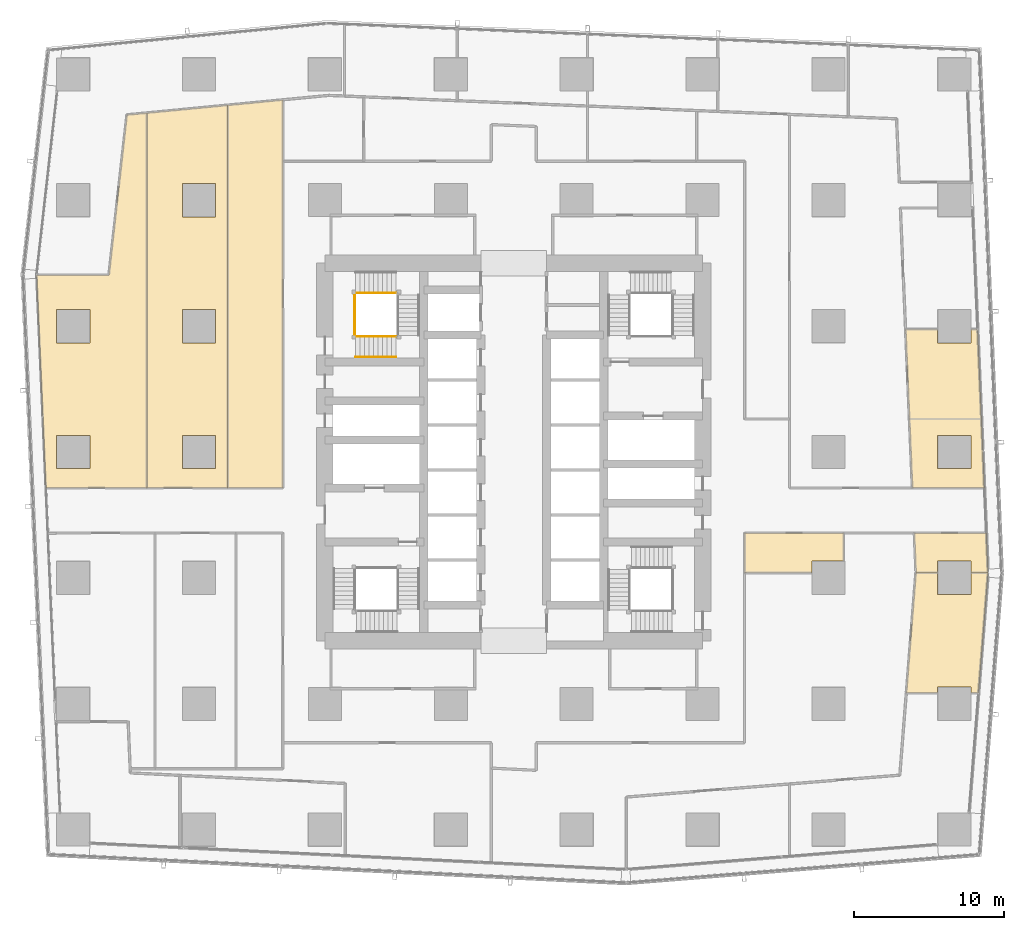
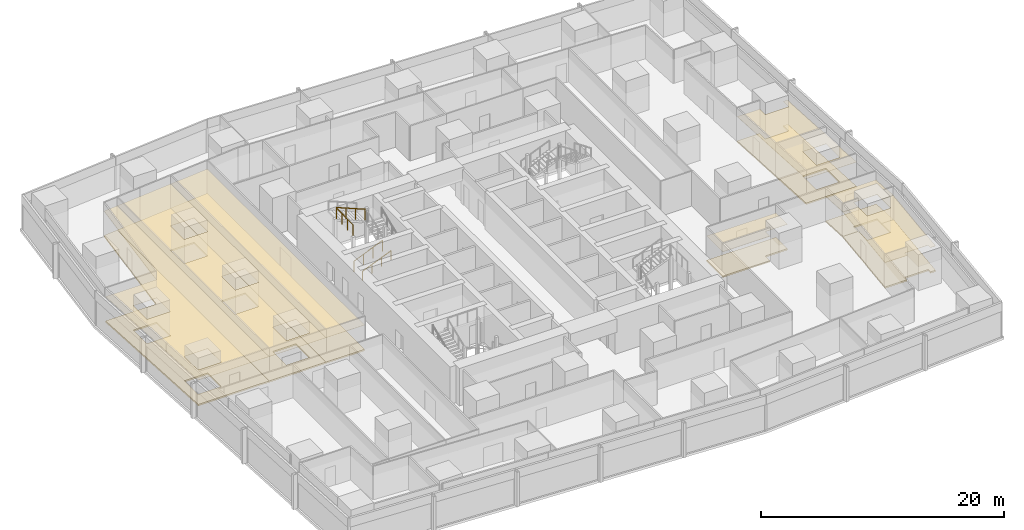
# One storey, part 40 of 44: 14 coverings, 4 railings.
"""IFC4 building model written with IfcOpenShell, lengths in metres."""

from ifc_helpers import new_model, si_unit, direction, frame, origin, origin_2d, place, context, subcontext, project, spatial, polyline, circle, outline, extrude, material, layer, layer_set, type_object, element, save


model = new_model("IFC4")

# Units and contexts
model_context = context("Model", 3, precision=1e-05, world=origin(), true_north=direction((0.0, 1.0)))
body_context = subcontext(model_context, "Body", "Model", "MODEL_VIEW")
ifc_project = project(units=[si_unit("LENGTHUNIT", "METRE"), si_unit("AREAUNIT", "SQUARE_METRE"), si_unit("VOLUMEUNIT", "CUBIC_METRE"), si_unit("PLANEANGLEUNIT", "RADIAN"), si_unit("MASSUNIT", "GRAM", prefix="KILO")], contexts=[model_context])

# Site, building, storey
site_placement = place(None, origin())
site = spatial("IfcSite", under=ifc_project, at=site_placement, CompositionType="ELEMENT")
building_placement = place(site_placement, origin())
building = spatial("IfcBuilding", under=site, at=building_placement, Name="Rekha Terrace Tower", CompositionType="ELEMENT")
storey_placement = place(building_placement, frame((0.0, 0.0, 51.64990234375)))
storey = spatial("IfcBuildingStorey", under=building, at=storey_placement, Name="L12", CompositionType="ELEMENT", Elevation=51.64990234375)

# Coverings
ifc_material_1 = material(Name="Mineral fibre tile in exposed grid", Category="finish")
ifc_layer_1 = layer(ifc_material_1, 0.02001953125)
ifc_layer_set_1 = layer_set([ifc_layer_1], Name="Mineral fibre tile in exposed grid")
covering_type_1 = type_object("IfcCoveringType", Name="CL1 600x1200 office grid ceiling", PredefinedType="CEILING", material=ifc_layer_set_1)
covering_1_placement = place(storey_placement, frame((0.0, 0.0, 2.580078125)))
element("IfcCovering", 1, at=covering_1_placement, inside=storey, type_object=covering_type_1, Name="Ceiling L12-04", PredefinedType="CEILING", context=body_context, shape_type="SweptSolid", body=[
    extrude(outline(polyline([(68.31494140625, 17.9150390625), (68.31494140625, 17.52392578125), (68.803955078125, 17.52392578125), (69.44091796875, 25.551025390625), (68.31494140625, 25.551025390625), (68.31494140625, 24.0849609375), (66.0849609375, 24.0849609375), (66.0849609375, 25.551025390625), (64.625, 25.551025390625), (63.989013671875, 17.52392578125), (66.0849609375, 17.52392578125), (66.0849609375, 17.9150390625), (68.31494140625, 17.9150390625)])), origin(), (0.0, 0.0, 1.0), 0.02001953125),
])
covering_2_placement = place(storey_placement, frame((0.0, 0.0, 2.580078125)))
element("IfcCovering", 2, at=covering_2_placement, inside=storey, type_object=covering_type_1, Name="Ceiling L12-05", PredefinedType="CEILING", context=body_context, shape_type="SweptSolid", body=[
    extrude(outline(polyline([(69.43701171875, 25.552001953125), (69.322998046875, 28.199951171875), (64.51904296875, 28.199951171875), (64.632080078125, 25.552001953125), (66.0849609375, 25.552001953125), (66.0849609375, 26.31494140625), (68.31494140625, 26.31494140625), (68.31494140625, 25.552001953125), (69.43701171875, 25.552001953125)])), origin(), (0.0, 0.0, 1.0), 0.02001953125),
])
covering_3_placement = place(storey_placement, frame((0.0, 0.0, 2.580078125)))
element("IfcCovering", 3, at=covering_3_placement, inside=storey, type_object=covering_type_1, Name="Ceiling L12-06", PredefinedType="CEILING", context=body_context, shape_type="SweptSolid", body=[
    extrude(outline(polyline([(59.800048828125, 26.31494140625), (59.800048828125, 28.199951171875), (53.199951171875, 28.199951171875), (53.199951171875, 25.552001953125), (57.68505859375, 25.552001953125), (57.68505859375, 26.31494140625), (59.800048828125, 26.31494140625)])), origin(), (0.0, 0.0, 1.0), 0.02001953125),
])
covering_4_placement = place(storey_placement, frame((0.0, 0.0, 2.580078125)))
element("IfcCovering", 4, at=covering_4_placement, inside=storey, type_object=covering_type_1, Name="Ceiling L12-07", PredefinedType="CEILING", context=body_context, shape_type="SweptSolid", body=[
    extrude(outline(polyline([(69.195068359375, 31.199951171875), (68.9990234375, 35.797119140625), (68.742919921875, 41.781005859375), (68.31494140625, 41.781005859375), (68.31494140625, 40.885009765625), (66.0849609375, 40.885009765625), (66.0849609375, 41.781005859375), (63.93896484375, 41.781005859375), (64.194091796875, 35.800048828125), (64.39111328125, 31.199951171875), (69.195068359375, 31.199951171875)]), holes=[polyline([(68.31494140625, 32.485107421875), (66.0849609375, 32.485107421875), (66.0849609375, 34.715087890625), (68.31494140625, 34.715087890625), (68.31494140625, 32.485107421875)])]), origin(), (0.0, 0.0, 1.0), 0.02001953125),
])
covering_5_placement = place(storey_placement, frame((0.0, 0.0, 2.580078125)))
element("IfcCovering", 5, at=covering_5_placement, inside=storey, type_object=covering_type_1, Name="Ceiling L12-18", PredefinedType="CEILING", context=body_context, shape_type="SweptSolid", body=[
    extrude(outline(polyline([(18.717041015625, 56.741943359375), (15.572021484375, 56.43994140625), (13.31689453125, 56.222900390625), (13.31689453125, 31.199951171875), (18.717041015625, 31.199951171875), (18.717041015625, 56.741943359375)]), holes=[polyline([(17.9150390625, 32.485107421875), (15.68505859375, 32.485107421875), (15.68505859375, 34.715087890625), (17.9150390625, 34.715087890625), (17.9150390625, 32.485107421875)]), polyline([(17.9150390625, 40.885009765625), (15.68505859375, 40.885009765625), (15.68505859375, 43.114990234375), (17.9150390625, 43.114990234375), (17.9150390625, 40.885009765625)]), polyline([(17.9150390625, 49.284912109375), (15.68505859375, 49.284912109375), (15.68505859375, 51.514892578125), (17.9150390625, 51.514892578125), (17.9150390625, 49.284912109375)])]), origin(), (0.0, 0.0, 1.0), 0.02001953125),
])
covering_6_placement = place(storey_placement, frame((0.0, 0.0, 2.580078125)))
element("IfcCovering", 6, at=covering_6_placement, inside=storey, type_object=covering_type_1, Name="Ceiling L12-19", PredefinedType="CEILING", context=body_context, shape_type="SweptSolid", body=[
    extrude(outline(polyline([(22.39990234375, 57.096923828125), (18.717041015625, 56.741943359375), (18.717041015625, 31.199951171875), (22.39990234375, 31.199951171875), (22.39990234375, 57.096923828125)])), origin(), (0.0, 0.0, 1.0), 0.02001953125),
])
covering_7_placement = place(storey_placement, frame((0.0, 0.0, 2.580078125)))
element("IfcCovering", 7, at=covering_7_placement, inside=storey, type_object=covering_type_1, Name="Ceiling L12-O4b", PredefinedType="CEILING", context=body_context, shape_type="SweptSolid", body=[
    extrude(outline(polyline([(13.31689453125, 56.222900390625), (11.989990234375, 56.095947265625), (10.7900390625, 45.412109375), (5.964111328125, 45.412109375), (6.5859375, 31.199951171875), (13.31689453125, 31.199951171875), (13.31689453125, 56.222900390625)]), holes=[polyline([(9.514892578125, 32.485107421875), (7.284912109375, 32.485107421875), (7.284912109375, 34.715087890625), (9.514892578125, 34.715087890625), (9.514892578125, 32.485107421875)]), polyline([(9.514892578125, 40.885009765625), (7.284912109375, 40.885009765625), (7.284912109375, 43.114990234375), (9.514892578125, 43.114990234375), (9.514892578125, 40.885009765625)])]), origin(), (0.0, 0.0, 1.0), 0.02001953125),
])

# Railings
ifc_material_2 = material(Name="Stainless steel balustrade", Category="steel")
railing_type_1 = type_object("IfcRailingType", Name="GR1 1100 stair guard", PredefinedType="GUARDRAIL", material=ifc_material_2)
railing_1_placement = place(storey_placement, frame((27.25, 41.31494140625, 0.125)))
element("IfcRailing", 8, at=railing_1_placement, inside=storey, type_object=railing_type_1, Name="Guard ST4 L12 flight 1", PredefinedType="GUARDRAIL", context=body_context, shape_type="SweptSolid", body=[
    extrude(circle(Radius=0.02392578125, at=origin_2d()), frame((0.0, 0.0, 1.076171875), z_axis=(0.923074453586, 0.0, 0.384621311341), x_axis=(0.0, 1.0, 0.0)), (0.0, 0.0, 1.0), 2.925048828125),
    extrude(circle(Radius=0.02099609375, at=origin_2d()), origin(), (0.0, 0.0, 1.0), 1.052001953125),
    extrude(circle(Radius=0.02099609375, at=origin_2d()), frame((0.89990234375, 0.0, 0.375)), (0.0, 0.0, 1.0), 1.052001953125),
    extrude(circle(Radius=0.02099609375, at=origin_2d()), frame((1.800048828125, 0.0, 0.75)), (0.0, 0.0, 1.0), 1.052001953125),
    extrude(circle(Radius=0.02099609375, at=origin_2d()), frame((2.699951171875, 0.0, 1.125)), (0.0, 0.0, 1.0), 1.052001953125),
])
railing_2_placement = place(storey_placement, frame((29.949951171875, 44.2099609375, 2.625)))
element("IfcRailing", 9, at=railing_2_placement, inside=storey, type_object=railing_type_1, Name="Guard ST4 L12 flight 3", PredefinedType="GUARDRAIL", context=body_context, shape_type="SweptSolid", body=[
    extrude(circle(Radius=0.02392578125, at=origin_2d()), frame((0.0, 0.0, 1.076171875), z_axis=(-0.923074453586, 0.0, 0.384621311341), x_axis=(0.0, -1.0, 0.0)), (0.0, 0.0, 1.0), 2.925048828125),
    extrude(circle(Radius=0.02099609375, at=origin_2d()), origin(), (0.0, 0.0, 1.0), 1.052001953125),
    extrude(circle(Radius=0.02099609375, at=origin_2d()), frame((-0.89990234375, 0.0, 0.375)), (0.0, 0.0, 1.0), 1.052001953125),
    extrude(circle(Radius=0.02099609375, at=origin_2d()), frame((-1.800048828125, 0.0, 0.75)), (0.0, 0.0, 1.0), 1.052001953125),
    extrude(circle(Radius=0.02099609375, at=origin_2d()), frame((-2.699951171875, 0.0, 1.125)), (0.0, 0.0, 1.0), 1.052001953125),
])
railing_3_placement = place(storey_placement, frame((27.18994140625, 41.375, 3.75)))
element("IfcRailing", 10, at=railing_3_placement, inside=storey, type_object=railing_type_1, Name="Guard ST4 L12 landing 4", PredefinedType="GUARDRAIL", context=body_context, shape_type="SweptSolid", body=[
    extrude(circle(Radius=0.02392578125, at=origin_2d()), frame((0.0, 0.0, 1.076171875), z_axis=(0.0, 1.0, 0.0), x_axis=(-1.0, 0.0, 0.0)), (0.0, 0.0, 1.0), 2.77490234375),
    extrude(circle(Radius=0.02099609375, at=origin_2d()), origin(), (0.0, 0.0, 1.0), 1.052001953125),
    extrude(circle(Radius=0.02099609375, at=origin_2d()), frame((0.0, 0.925048828125, 0.0)), (0.0, 0.0, 1.0), 1.052001953125),
    extrude(circle(Radius=0.02099609375, at=origin_2d()), frame((0.0, 1.849853515625, 0.0)), (0.0, 0.0, 1.0), 1.052001953125),
    extrude(circle(Radius=0.02099609375, at=origin_2d()), frame((0.0, 2.77490234375, 0.0)), (0.0, 0.0, 1.0), 1.052001953125),
])
ifc_material_3 = material(Name="Stainless steel tube", Category="steel")
railing_type_2 = type_object("IfcRailingType", Name="HR1 900 stair handrail", PredefinedType="HANDRAIL", material=ifc_material_3)
railing_4_placement = place(storey_placement, frame((27.25, 39.93505859375, 0.125)))
element("IfcRailing", 11, at=railing_4_placement, inside=storey, type_object=railing_type_2, Name="Handrail ST4 L12 flight 1", PredefinedType="HANDRAIL", context=body_context, shape_type="SweptSolid", body=[
    extrude(circle(Radius=0.02392578125, at=origin_2d()), frame((0.0, 0.0, 0.8759765625), z_axis=(0.923074453586, 0.0, 0.384621311341), x_axis=(0.0, 1.0, 0.0)), (0.0, 0.0, 1.0), 2.925048828125),
    extrude(circle(Radius=0.02099609375, at=origin_2d()), origin(), (0.0, 0.0, 1.0), 0.851806640625),
    extrude(circle(Radius=0.02099609375, at=origin_2d()), frame((0.89990234375, 0.0, 0.375)), (0.0, 0.0, 1.0), 0.851806640625),
    extrude(circle(Radius=0.02099609375, at=origin_2d()), frame((1.800048828125, 0.0, 0.75)), (0.0, 0.0, 1.0), 0.851806640625),
    extrude(circle(Radius=0.02099609375, at=origin_2d()), frame((2.699951171875, 0.0, 1.125)), (0.0, 0.0, 1.0), 0.851806640625),
])

# Coverings
ifc_material_4 = material(Name="Calcium sulphate panels on steel pedestals", Category="steel")
ifc_layer_2 = layer(ifc_material_4, 0.14990234375)
ifc_layer_set_2 = layer_set([ifc_layer_2], Name="Calcium sulphate panels on steel pedestals")
covering_type_2 = type_object("IfcCoveringType", Name="RF1 150 raised access floor", PredefinedType="FLOORING", material=ifc_layer_set_2)
covering_8_placement = place(storey_placement, origin())
element("IfcCovering", 12, at=covering_8_placement, inside=storey, type_object=covering_type_2, Name="Raised floor L12-04", PredefinedType="FLOORING", context=body_context, shape_type="SweptSolid", body=[
    extrude(outline(polyline([(68.31494140625, 17.9150390625), (68.31494140625, 17.52392578125), (68.803955078125, 17.52392578125), (69.44091796875, 25.551025390625), (68.31494140625, 25.551025390625), (68.31494140625, 24.0849609375), (66.0849609375, 24.0849609375), (66.0849609375, 25.551025390625), (64.625, 25.551025390625), (63.989013671875, 17.52392578125), (66.0849609375, 17.52392578125), (66.0849609375, 17.9150390625), (68.31494140625, 17.9150390625)])), origin(), (0.0, 0.0, 1.0), 0.150146484375),
])
covering_9_placement = place(storey_placement, origin())
element("IfcCovering", 13, at=covering_9_placement, inside=storey, type_object=covering_type_2, Name="Raised floor L12-05", PredefinedType="FLOORING", context=body_context, shape_type="SweptSolid", body=[
    extrude(outline(polyline([(69.43701171875, 25.552001953125), (69.322998046875, 28.199951171875), (64.51904296875, 28.199951171875), (64.632080078125, 25.552001953125), (66.0849609375, 25.552001953125), (66.0849609375, 26.31494140625), (68.31494140625, 26.31494140625), (68.31494140625, 25.552001953125), (69.43701171875, 25.552001953125)])), origin(), (0.0, 0.0, 1.0), 0.150146484375),
])
covering_10_placement = place(storey_placement, origin())
element("IfcCovering", 14, at=covering_10_placement, inside=storey, type_object=covering_type_2, Name="Raised floor L12-06", PredefinedType="FLOORING", context=body_context, shape_type="SweptSolid", body=[
    extrude(outline(polyline([(59.800048828125, 26.31494140625), (59.800048828125, 28.199951171875), (53.199951171875, 28.199951171875), (53.199951171875, 25.552001953125), (57.68505859375, 25.552001953125), (57.68505859375, 26.31494140625), (59.800048828125, 26.31494140625)])), origin(), (0.0, 0.0, 1.0), 0.150146484375),
])
covering_11_placement = place(storey_placement, origin())
element("IfcCovering", 15, at=covering_11_placement, inside=storey, type_object=covering_type_2, Name="Raised floor L12-07", PredefinedType="FLOORING", context=body_context, shape_type="SweptSolid", body=[
    extrude(outline(polyline([(69.195068359375, 31.199951171875), (68.9990234375, 35.797119140625), (68.742919921875, 41.781005859375), (68.31494140625, 41.781005859375), (68.31494140625, 40.885009765625), (66.0849609375, 40.885009765625), (66.0849609375, 41.781005859375), (63.93896484375, 41.781005859375), (64.194091796875, 35.800048828125), (64.39111328125, 31.199951171875), (69.195068359375, 31.199951171875)]), holes=[polyline([(68.31494140625, 32.485107421875), (66.0849609375, 32.485107421875), (66.0849609375, 34.715087890625), (68.31494140625, 34.715087890625), (68.31494140625, 32.485107421875)])]), origin(), (0.0, 0.0, 1.0), 0.150146484375),
])
covering_12_placement = place(storey_placement, origin())
element("IfcCovering", 16, at=covering_12_placement, inside=storey, type_object=covering_type_2, Name="Raised floor L12-18", PredefinedType="FLOORING", context=body_context, shape_type="SweptSolid", body=[
    extrude(outline(polyline([(18.717041015625, 56.741943359375), (15.572021484375, 56.43994140625), (13.31689453125, 56.222900390625), (13.31689453125, 31.199951171875), (18.717041015625, 31.199951171875), (18.717041015625, 56.741943359375)]), holes=[polyline([(17.9150390625, 32.485107421875), (15.68505859375, 32.485107421875), (15.68505859375, 34.715087890625), (17.9150390625, 34.715087890625), (17.9150390625, 32.485107421875)]), polyline([(17.9150390625, 40.885009765625), (15.68505859375, 40.885009765625), (15.68505859375, 43.114990234375), (17.9150390625, 43.114990234375), (17.9150390625, 40.885009765625)]), polyline([(17.9150390625, 49.284912109375), (15.68505859375, 49.284912109375), (15.68505859375, 51.514892578125), (17.9150390625, 51.514892578125), (17.9150390625, 49.284912109375)])]), origin(), (0.0, 0.0, 1.0), 0.150146484375),
])
covering_13_placement = place(storey_placement, origin())
element("IfcCovering", 17, at=covering_13_placement, inside=storey, type_object=covering_type_2, Name="Raised floor L12-19", PredefinedType="FLOORING", context=body_context, shape_type="SweptSolid", body=[
    extrude(outline(polyline([(22.39990234375, 57.096923828125), (18.717041015625, 56.741943359375), (18.717041015625, 31.199951171875), (22.39990234375, 31.199951171875), (22.39990234375, 57.096923828125)])), origin(), (0.0, 0.0, 1.0), 0.150146484375),
])
covering_14_placement = place(storey_placement, origin())
element("IfcCovering", 18, at=covering_14_placement, inside=storey, type_object=covering_type_2, Name="Raised floor L12-O4b", PredefinedType="FLOORING", context=body_context, shape_type="SweptSolid", body=[
    extrude(outline(polyline([(13.31689453125, 56.222900390625), (11.989990234375, 56.095947265625), (10.7900390625, 45.412109375), (5.964111328125, 45.412109375), (6.5859375, 31.199951171875), (13.31689453125, 31.199951171875), (13.31689453125, 56.222900390625)]), holes=[polyline([(9.514892578125, 32.485107421875), (7.284912109375, 32.485107421875), (7.284912109375, 34.715087890625), (9.514892578125, 34.715087890625), (9.514892578125, 32.485107421875)]), polyline([(9.514892578125, 40.885009765625), (7.284912109375, 40.885009765625), (7.284912109375, 43.114990234375), (9.514892578125, 43.114990234375), (9.514892578125, 40.885009765625)])]), origin(), (0.0, 0.0, 1.0), 0.150146484375),
])

save(model, "model.ifc")
